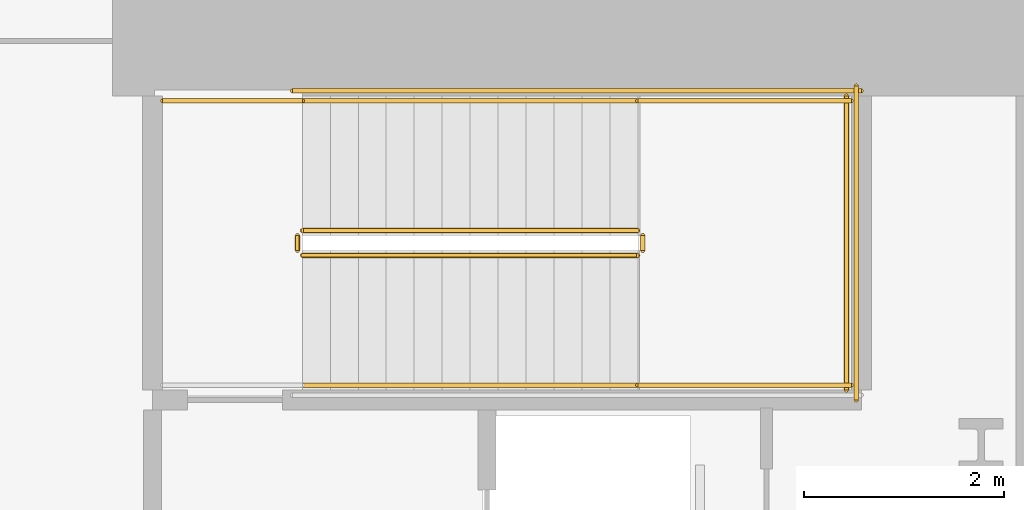
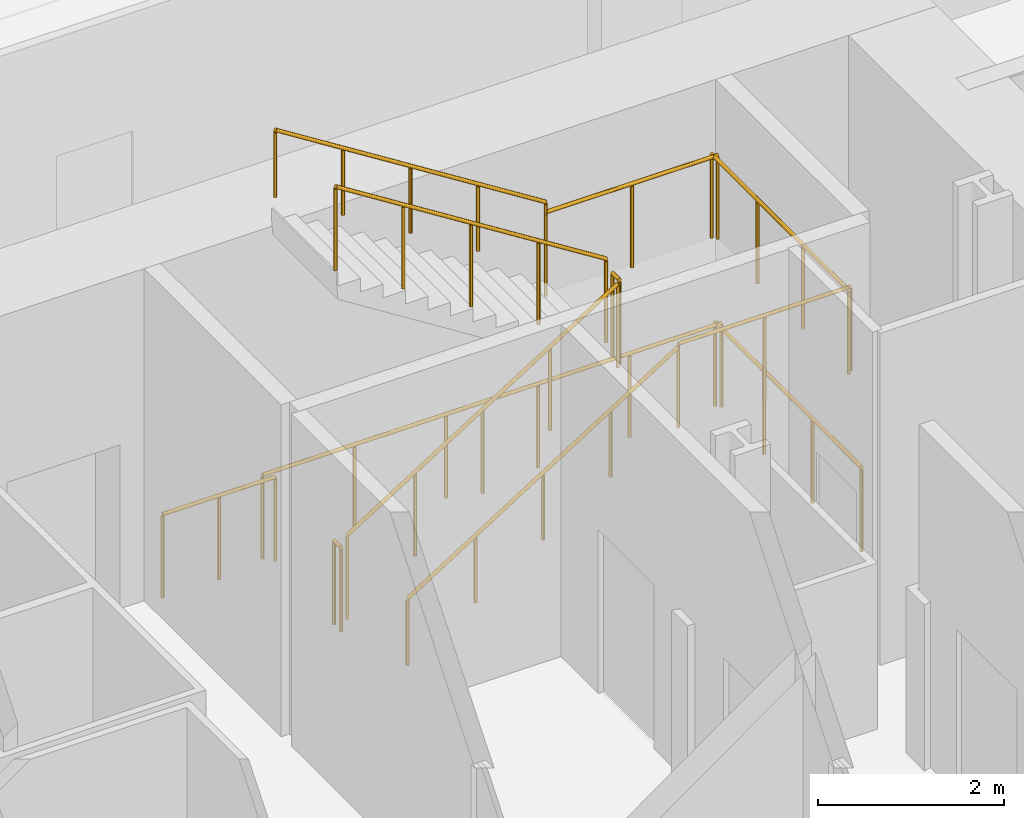
# One storey, part 15 of 18: 12 railings.
"""IFC4 building model written with IfcOpenShell, lengths in metres."""

import ifcopenshell
import ifcopenshell.guid

model = None  # the IFC model being written
_history = None  # IfcOwnerHistory: only IFC2X3 demands one
_inside = {}  # id of a spatial element -> (the spatial element, [elements in it])
_under = {}  # id of a project, library or spatial element -> (it, [spatial elements below it])
_declared = {}  # id of a project -> (the project, [libraries it declares])
_typed = {}  # id of a type object -> (the type object, [elements of that type])
_made_of = {}  # id of a material, layer set ... -> (it, [elements and type objects made of it])


def new_model(schema):
    """Start an empty IFC model of exactly this schema.

    Asked for "IFC4X3", IfcOpenShell would pick the latest addendum, in which some entities
    have other attributes; the version numbers below select the first issue.
    IFC2X3 requires an IfcOwnerHistory on every rooted entity: one is made here for all.
    """
    global model, _history
    if schema == "IFC4X3":
        model = ifcopenshell.file(schema_version=(4, 3, 0, 0))
    else:
        model = ifcopenshell.file(schema=schema)
    _inside.clear()
    _under.clear()
    _declared.clear()
    _typed.clear()
    _made_of.clear()
    _history = None
    if model.schema == "IFC2X3":
        org = make("IfcOrganization", Name="unknown")
        user = make(
            "IfcPersonAndOrganization",
            ThePerson=make("IfcPerson", FamilyName="unknown"),
            TheOrganization=org,
        )
        app = make(
            "IfcApplication",
            ApplicationDeveloper=org,
            Version="unknown",
            ApplicationFullName="unknown",
            ApplicationIdentifier="unknown",
        )
        _history = make(
            "IfcOwnerHistory",
            OwningUser=user,
            OwningApplication=app,
            ChangeAction="ADDED",
            CreationDate=0,
        )
    return model


def make(cls, **values):
    """One entity of the class cls with the attributes given. An attribute that is None is left unset."""
    return model.create_entity(
        cls, **{name: value for name, value in values.items() if value is not None}
    )


def rooted(cls, **values):
    """An entity with a GlobalId (a new one), such as an element, a storey or a relation."""
    return make(cls, GlobalId=ifcopenshell.guid.new(), OwnerHistory=_history, **values)


def si_unit(unit_type, name, prefix=None):
    """IfcSIUnit, for example si_unit("LENGTHUNIT", "METRE", prefix="MILLI")."""
    return make("IfcSIUnit", UnitType=unit_type, Prefix=prefix, Name=name)


def assignment(units):
    """IfcUnitAssignment: the units of a project."""
    return None if units is None else make("IfcUnitAssignment", Units=units)


def point(xyz):
    """IfcCartesianPoint."""
    return None if xyz is None else make("IfcCartesianPoint", Coordinates=xyz)


def direction(xyz):
    """IfcDirection."""
    return None if xyz is None else make("IfcDirection", DirectionRatios=xyz)


def frame(location, z_axis=None, x_axis=None):
    """IfcAxis2Placement3D, a coordinate frame: its origin and axes. An axis left out is left unset."""
    return make(
        "IfcAxis2Placement3D",
        Location=point(location),
        Axis=direction(z_axis),
        RefDirection=direction(x_axis),
    )


def frame_2d(location, x_axis=None):
    """IfcAxis2Placement2D, a coordinate frame in the plane: its origin and x axis."""
    return make(
        "IfcAxis2Placement2D", Location=point(location), RefDirection=direction(x_axis)
    )


def origin():
    """The frame at (0, 0, 0) with its axes left unset."""
    return frame((0.0, 0.0, 0.0))


def origin_2d():
    """The frame at (0, 0) in the plane with its x axis left unset."""
    return frame_2d((0.0, 0.0))


def place(relative_to, where):
    """IfcLocalPlacement: puts the frame where relative to a parent placement (None: the world)."""
    return make(
        "IfcLocalPlacement", PlacementRelTo=relative_to, RelativePlacement=where
    )


def context(
    kind, dimensions, precision=None, world=None, true_north=None, identifier=None
):
    """IfcGeometricRepresentationContext, for example the 3D "Model" context."""
    return make(
        "IfcGeometricRepresentationContext",
        ContextIdentifier=identifier,
        ContextType=kind,
        CoordinateSpaceDimension=dimensions,
        Precision=precision,
        WorldCoordinateSystem=world,
        TrueNorth=true_north,
    )


def subcontext(parent, identifier, kind, view, scale=None):
    """IfcGeometricRepresentationSubContext, for example "Body" below "Model"."""
    return make(
        "IfcGeometricRepresentationSubContext",
        ContextIdentifier=identifier,
        ContextType=kind,
        ParentContext=parent,
        TargetScale=scale,
        TargetView=view,
    )


def project(units=None, contexts=None):
    """IfcProject with its units and contexts."""
    return rooted(
        "IfcProject",
        Name="project",
        RepresentationContexts=contexts,
        UnitsInContext=assignment(units),
    )


def spatial(cls, under=None, at=None, **own):
    """A site, building, storey or space (cls), placed at a placement, below another one or the project."""
    s = rooted(cls, ObjectPlacement=at, **own)
    if under is not None:
        _under.setdefault(under.id(), (under, []))[1].append(s)
    return s


def profile(cls, at=None, kind="AREA", **sizes):
    """A parametric profile (cls). Its sizes go by their IFC names, for example OverallWidth=200.0."""
    return make(cls, ProfileType=kind, Position=at, **sizes)


def circle(**sizes):
    """IfcCircleProfileDef."""
    return profile("IfcCircleProfileDef", **sizes)


def extrude(swept, where, along, depth):
    """IfcExtrudedAreaSolid: the profile swept, set in the frame where, extruded along a direction by depth."""
    return make(
        "IfcExtrudedAreaSolid",
        SweptArea=swept,
        Position=where,
        ExtrudedDirection=direction(along),
        Depth=depth,
    )


def shape(context_of_items, identifier, shape_type, items):
    """IfcShapeRepresentation: the items that make up one representation, for example the "Body"."""
    return make(
        "IfcShapeRepresentation",
        ContextOfItems=context_of_items,
        RepresentationIdentifier=identifier,
        RepresentationType=shape_type,
        Items=items,
    )


def material(Name=None, Category=None):
    """IfcMaterial."""
    return make("IfcMaterial", Name=Name, Category=Category)


def made_of(thing, what):
    """Note that an element or type object is made of a material, layer set ...; save() writes the relation."""
    if what is not None:
        _made_of.setdefault(what.id(), (what, []))[1].append(thing)
    return thing


def type_object(cls, material=None, **own):
    """A type object (cls), such as IfcWallType, which elements share."""
    return made_of(rooted(cls, **own), material)


def element(
    cls,
    number,
    at=None,
    inside=None,
    cuts=None,
    type_object=None,
    material=None,
    context=None,
    identifier="Body",
    shape_type=None,
    held_by="IfcProductDefinitionShape",
    body=None,
    shapes=None,
    **own,
):
    """One element of the class cls, such as IfcWall. Its Tag is "e" and its number.

    at: its placement. inside: the storey or other place that contains it. cuts: it is an
    opening in that element (IfcRelVoidsElement). A single representation is given by context,
    identifier, shape_type and body (its items); several are given by shapes. held_by: the class
    of the entity that holds the representations. save() writes the other relations.
    """
    e = rooted(cls, Tag="e%d" % number, ObjectPlacement=at, **own)
    if body is not None:
        shapes = [shape(context, identifier, shape_type, body)]
    if shapes is not None:
        e.Representation = make(held_by, Representations=shapes)
    if inside is not None:
        _inside.setdefault(inside.id(), (inside, []))[1].append(e)
    if cuts is not None:
        rooted(
            "IfcRelVoidsElement", RelatingBuildingElement=cuts, RelatedOpeningElement=e
        )
    if type_object is not None:
        _typed.setdefault(type_object.id(), (type_object, []))[1].append(e)
    return made_of(e, material)


def aggregate(whole, parts):
    """IfcRelAggregates: a whole, such as a stair, and the parts it consists of."""
    return rooted("IfcRelAggregates", RelatingObject=whole, RelatedObjects=parts)


def save(model, path):
    """Write the relations noted so far, then the file.

    IfcRelAggregates (storeys below a building ...), IfcRelContainedInSpatialStructure (elements
    in a storey), IfcRelDefinesByType, IfcRelAssociatesMaterial and IfcRelDeclares: one each for
    every whole, place, type object, material and project.
    """
    for whole, parts in _under.values():
        aggregate(whole, parts)
    for where, things in _inside.values():
        rooted(
            "IfcRelContainedInSpatialStructure",
            RelatedElements=things,
            RelatingStructure=where,
        )
    for kind, things in _typed.values():
        rooted("IfcRelDefinesByType", RelatedObjects=things, RelatingType=kind)
    for what, things in _made_of.values():
        rooted("IfcRelAssociatesMaterial", RelatedObjects=things, RelatingMaterial=what)
    for by, libraries in _declared.values():
        rooted("IfcRelDeclares", RelatingContext=by, RelatedDefinitions=libraries)
    model.write(path)


model = new_model("IFC4")

# Units and contexts
model_context = context("Model", 3, precision=1e-05, world=origin(), true_north=direction((0.0, 1.0)))
body_context = subcontext(model_context, "Body", "Model", "MODEL_VIEW")
ifc_project = project(units=[si_unit("LENGTHUNIT", "METRE"), si_unit("AREAUNIT", "SQUARE_METRE"), si_unit("VOLUMEUNIT", "CUBIC_METRE"), si_unit("PLANEANGLEUNIT", "RADIAN"), si_unit("MASSUNIT", "GRAM", prefix="KILO")], contexts=[model_context])

# Site, building, storey
site_placement = place(None, origin())
site = spatial("IfcSite", under=ifc_project, at=site_placement, CompositionType="ELEMENT")
building_placement = place(site_placement, origin())
building = spatial("IfcBuilding", under=site, at=building_placement, Name="Valkerne Bourse Tower", CompositionType="ELEMENT")
storey_placement = place(building_placement, frame((0.0, 0.0, 10.199951171875)))
storey = spatial("IfcBuildingStorey", under=building, at=storey_placement, Name="L02", CompositionType="ELEMENT", Elevation=10.199951171875)

# Railings
ifc_material_1 = material(Name="Galvanised Painted Steel", Category="steel")
railing_type_1 = type_object("IfcRailingType", Name="RLG-ST-GUARD-1120", PredefinedType="GUARDRAIL", material=ifc_material_1)
railing_1_placement = place(storey_placement, frame((48.14990234375, 33.550048828125, 0.177001953125)))
element("IfcRailing", 1, at=railing_1_placement, inside=storey, type_object=railing_type_1, Name="L02 ST-2 stair guard 1", PredefinedType="GUARDRAIL", context=body_context, shape_type="SweptSolid", body=[
    extrude(circle(Radius=0.02392578125, at=origin_2d()), frame((0.0, 0.0, 1.09619140625), z_axis=(0.845389635667, 0.0, 0.534150132366), x_axis=(0.0, 1.0, 0.0)), (0.0, 0.0, 1.0), 3.974609375),
    extrude(circle(Radius=0.02099609375, at=origin_2d()), origin(), (0.0, 0.0, 1.0), 1.072021484375),
    extrude(circle(Radius=0.02099609375, at=origin_2d()), frame((0.840087890625, 0.0, 0.53076171875)), (0.0, 0.0, 1.0), 1.072021484375),
    extrude(circle(Radius=0.02099609375, at=origin_2d()), frame((1.68017578125, 0.0, 1.0615234375)), (0.0, 0.0, 1.0), 1.072021484375),
    extrude(circle(Radius=0.02099609375, at=origin_2d()), frame((2.52001953125, 0.0, 1.59228515625)), (0.0, 0.0, 1.0), 1.072021484375),
    extrude(circle(Radius=0.02099609375, at=origin_2d()), frame((3.360107421875, 0.0, 2.123046875)), (0.0, 0.0, 1.0), 1.072021484375),
])
railing_2_placement = place(storey_placement, frame((51.56005859375, 33.60009765625, 2.300048828125)))
element("IfcRailing", 2, at=railing_2_placement, inside=storey, type_object=railing_type_1, Name="L02 ST-2 stair guard 2", PredefinedType="GUARDRAIL", context=body_context, shape_type="SweptSolid", body=[
    extrude(circle(Radius=0.02392578125, at=origin_2d()), frame((0.0, 0.0, 1.09619140625), z_axis=(0.0, 1.0, 0.0), x_axis=(-1.0, 0.0, 0.0)), (0.0, 0.0, 1.0), 0.14990234375),
    extrude(circle(Radius=0.02099609375, at=origin_2d()), origin(), (0.0, 0.0, 1.0), 1.072021484375),
    extrude(circle(Radius=0.02099609375, at=origin_2d()), frame((0.0, 0.14990234375, 0.0)), (0.0, 0.0, 1.0), 1.072021484375),
])
for number, where, name in (
    (3, (51.510009765625, 32.25, 2.300048828125), "L02 ST-2 stair guard 3"),
    (4, (51.510009765625, 35.10009765625, 2.300048828125), "L02 ST-2 stair guard 4"),
):
    element("IfcRailing", number, at=place(storey_placement, frame(where)), inside=storey, type_object=railing_type_1, Name=name, PredefinedType="GUARDRAIL", context=body_context, shape_type="SweptSolid", body=[
        extrude(circle(Radius=0.02392578125, at=origin_2d()), frame((0.0, 0.0, 1.09619140625), z_axis=(1.0, 0.0, 0.0), x_axis=(0.0, 1.0, 0.0)), (0.0, 0.0, 1.0), 2.139892578125),
        extrude(circle(Radius=0.02099609375, at=origin_2d()), origin(), (0.0, 0.0, 1.0), 1.072021484375),
        extrude(circle(Radius=0.02099609375, at=origin_2d()), frame((1.06982421875, 0.0, 0.0)), (0.0, 0.0, 1.0), 1.072021484375),
        extrude(circle(Radius=0.02099609375, at=origin_2d()), frame((2.139892578125, 0.0, 0.0)), (0.0, 0.0, 1.0), 1.072021484375),
    ])
railing_3_placement = place(storey_placement, frame((53.60009765625, 32.199951171875, 2.300048828125)))
element("IfcRailing", 5, at=railing_3_placement, inside=storey, type_object=railing_type_1, Name="L02 ST-2 stair guard 5", PredefinedType="GUARDRAIL", context=body_context, shape_type="SweptSolid", body=[
    extrude(circle(Radius=0.02392578125, at=origin_2d()), frame((0.0, 0.0, 1.09619140625), z_axis=(0.0, 1.0, 0.0), x_axis=(-1.0, 0.0, 0.0)), (0.0, 0.0, 1.0), 2.949951171875),
    extrude(circle(Radius=0.02099609375, at=origin_2d()), origin(), (0.0, 0.0, 1.0), 1.072021484375),
    extrude(circle(Radius=0.02099609375, at=origin_2d()), frame((0.0, 0.9833984375, 0.0)), (0.0, 0.0, 1.0), 1.072021484375),
    extrude(circle(Radius=0.02099609375, at=origin_2d()), frame((0.0, 1.966552734375, 0.0)), (0.0, 0.0, 1.0), 1.072021484375),
    extrude(circle(Radius=0.02099609375, at=origin_2d()), frame((0.0, 2.949951171875, 0.0)), (0.0, 0.0, 1.0), 1.072021484375),
])
railing_4_placement = place(storey_placement, frame((51.510009765625, 33.800048828125, 2.47705078125)))
element("IfcRailing", 6, at=railing_4_placement, inside=storey, type_object=railing_type_1, Name="L02 ST-2 stair guard 6", PredefinedType="GUARDRAIL", context=body_context, shape_type="SweptSolid", body=[
    extrude(circle(Radius=0.02392578125, at=origin_2d()), frame((0.0, 0.0, 1.09619140625), z_axis=(-0.845389635667, 0.0, 0.534150132366), x_axis=(0.0, -1.0, 0.0)), (0.0, 0.0, 1.0), 3.974609375),
    extrude(circle(Radius=0.02099609375, at=origin_2d()), origin(), (0.0, 0.0, 1.0), 1.072021484375),
    extrude(circle(Radius=0.02099609375, at=origin_2d()), frame((-0.840087890625, 0.0, 0.53076171875)), (0.0, 0.0, 1.0), 1.072021484375),
    extrude(circle(Radius=0.02099609375, at=origin_2d()), frame((-1.68017578125, 0.0, 1.0615234375)), (0.0, 0.0, 1.0), 1.072021484375),
    extrude(circle(Radius=0.02099609375, at=origin_2d()), frame((-2.52001953125, 0.0, 1.59228515625)), (0.0, 0.0, 1.0), 1.072021484375),
    extrude(circle(Radius=0.02099609375, at=origin_2d()), frame((-3.360107421875, 0.0, 2.123046875)), (0.0, 0.0, 1.0), 1.072021484375),
])
railing_5_placement = place(storey_placement, frame((48.10009765625, 33.60009765625, 0.0)))
element("IfcRailing", 7, at=railing_5_placement, inside=storey, type_object=railing_type_1, Name="L02 ST-2 stair guard 7", PredefinedType="GUARDRAIL", context=body_context, shape_type="SweptSolid", body=[
    extrude(circle(Radius=0.02392578125, at=origin_2d()), frame((0.0, 0.0, 1.09619140625), z_axis=(0.0, 1.0, 0.0), x_axis=(-1.0, 0.0, 0.0)), (0.0, 0.0, 1.0), 0.14990234375),
    extrude(circle(Radius=0.02099609375, at=origin_2d()), origin(), (0.0, 0.0, 1.0), 1.072021484375),
    extrude(circle(Radius=0.02099609375, at=origin_2d()), frame((0.0, 0.14990234375, 0.0)), (0.0, 0.0, 1.0), 1.072021484375),
])
railing_6_placement = place(storey_placement, frame((46.75, 35.10009765625, 0.0)))
element("IfcRailing", 8, at=railing_6_placement, inside=storey, type_object=railing_type_1, Name="L02 ST-2 stair guard 9", PredefinedType="GUARDRAIL", context=body_context, shape_type="SweptSolid", body=[
    extrude(circle(Radius=0.02392578125, at=origin_2d()), frame((0.0, 0.0, 1.09619140625), z_axis=(1.0, 0.0, 0.0), x_axis=(0.0, 1.0, 0.0)), (0.0, 0.0, 1.0), 1.39990234375),
    extrude(circle(Radius=0.02099609375, at=origin_2d()), origin(), (0.0, 0.0, 1.0), 1.072021484375),
    extrude(circle(Radius=0.02099609375, at=origin_2d()), frame((0.699951171875, 0.0, 0.0)), (0.0, 0.0, 1.0), 1.072021484375),
    extrude(circle(Radius=0.02099609375, at=origin_2d()), frame((1.39990234375, 0.0, 0.0)), (0.0, 0.0, 1.0), 1.072021484375),
])
railing_7_placement = place(storey_placement, frame((48.050048828125, 35.199951171875, 0.0)))
element("IfcRailing", 9, at=railing_7_placement, inside=storey, type_object=railing_type_1, Name="L02 ST-2 stair guard 11", PredefinedType="GUARDRAIL", context=body_context, shape_type="SweptSolid", body=[
    extrude(circle(Radius=0.02392578125, at=origin_2d()), frame((0.0, 0.0, 1.09619140625), z_axis=(1.0, 0.0, 0.0), x_axis=(0.0, 1.0, 0.0)), (0.0, 0.0, 1.0), 5.699951171875),
    extrude(circle(Radius=0.02099609375, at=origin_2d()), origin(), (0.0, 0.0, 1.0), 1.072021484375),
    extrude(circle(Radius=0.02099609375, at=origin_2d()), frame((1.139892578125, 0.0, 0.0)), (0.0, 0.0, 1.0), 1.072021484375),
    extrude(circle(Radius=0.02099609375, at=origin_2d()), frame((2.280029296875, 0.0, 0.0)), (0.0, 0.0, 1.0), 1.072021484375),
    extrude(circle(Radius=0.02099609375, at=origin_2d()), frame((3.419921875, 0.0, 0.0)), (0.0, 0.0, 1.0), 1.072021484375),
    extrude(circle(Radius=0.02099609375, at=origin_2d()), frame((4.56005859375, 0.0, 0.0)), (0.0, 0.0, 1.0), 1.072021484375),
    extrude(circle(Radius=0.02099609375, at=origin_2d()), frame((5.699951171875, 0.0, 0.0)), (0.0, 0.0, 1.0), 1.072021484375),
])
railing_8_placement = place(storey_placement, frame((53.699951171875, 32.10009765625, 0.0)))
element("IfcRailing", 10, at=railing_8_placement, inside=storey, type_object=railing_type_1, Name="L02 ST-2 stair guard 12", PredefinedType="GUARDRAIL", context=body_context, shape_type="SweptSolid", body=[
    extrude(circle(Radius=0.02392578125, at=origin_2d()), frame((0.0, 0.0, 1.09619140625), z_axis=(0.0, 1.0, 0.0), x_axis=(-1.0, 0.0, 0.0)), (0.0, 0.0, 1.0), 3.14990234375),
    extrude(circle(Radius=0.02099609375, at=origin_2d()), origin(), (0.0, 0.0, 1.0), 1.072021484375),
    extrude(circle(Radius=0.02099609375, at=origin_2d()), frame((0.0, 1.050048828125, 0.0)), (0.0, 0.0, 1.0), 1.072021484375),
    extrude(circle(Radius=0.02099609375, at=origin_2d()), frame((0.0, 2.099853515625, 0.0)), (0.0, 0.0, 1.0), 1.072021484375),
    extrude(circle(Radius=0.02099609375, at=origin_2d()), frame((0.0, 3.14990234375, 0.0)), (0.0, 0.0, 1.0), 1.072021484375),
])
ifc_material_2 = material(Name="Stainless Steel AISI 316", Category="steel")
railing_type_2 = type_object("IfcRailingType", Name="RLG-ST-HANDRAIL-900", PredefinedType="HANDRAIL", material=ifc_material_2)
railing_9_placement = place(storey_placement, frame((48.14990234375, 32.25, 0.35400390625)))
element("IfcRailing", 11, at=railing_9_placement, inside=storey, type_object=railing_type_2, Name="L02 ST-2 stair handrail 1", PredefinedType="HANDRAIL", context=body_context, shape_type="SweptSolid", body=[
    extrude(circle(Radius=0.02392578125, at=origin_2d()), frame((0.0, 0.0, 0.8759765625), z_axis=(0.845389635667, 0.0, 0.534150132366), x_axis=(0.0, 1.0, 0.0)), (0.0, 0.0, 1.0), 3.974609375),
    extrude(circle(Radius=0.02099609375, at=origin_2d()), origin(), (0.0, 0.0, 1.0), 0.851806640625),
    extrude(circle(Radius=0.02099609375, at=origin_2d()), frame((0.840087890625, 0.0, 0.53076171875)), (0.0, 0.0, 1.0), 0.851806640625),
    extrude(circle(Radius=0.02099609375, at=origin_2d()), frame((1.68017578125, 0.0, 1.0615234375)), (0.0, 0.0, 1.0), 0.851806640625),
    extrude(circle(Radius=0.02099609375, at=origin_2d()), frame((2.52001953125, 0.0, 1.59228515625)), (0.0, 0.0, 1.0), 0.851806640625),
    extrude(circle(Radius=0.02099609375, at=origin_2d()), frame((3.360107421875, 0.0, 2.123046875)), (0.0, 0.0, 1.0), 0.851806640625),
])
railing_10_placement = place(storey_placement, frame((51.510009765625, 35.10009765625, 2.65380859375)))
element("IfcRailing", 12, at=railing_10_placement, inside=storey, type_object=railing_type_2, Name="L02 ST-2 stair handrail 2", PredefinedType="HANDRAIL", context=body_context, shape_type="SweptSolid", body=[
    extrude(circle(Radius=0.02392578125, at=origin_2d()), frame((0.0, 0.0, 0.8759765625), z_axis=(-0.845389635667, 0.0, 0.534150132366), x_axis=(0.0, -1.0, 0.0)), (0.0, 0.0, 1.0), 3.974609375),
    extrude(circle(Radius=0.02099609375, at=origin_2d()), origin(), (0.0, 0.0, 1.0), 0.851806640625),
    extrude(circle(Radius=0.02099609375, at=origin_2d()), frame((-0.840087890625, 0.0, 0.53076171875)), (0.0, 0.0, 1.0), 0.851806640625),
    extrude(circle(Radius=0.02099609375, at=origin_2d()), frame((-1.68017578125, 0.0, 1.0615234375)), (0.0, 0.0, 1.0), 0.851806640625),
    extrude(circle(Radius=0.02099609375, at=origin_2d()), frame((-2.52001953125, 0.0, 1.59228515625)), (0.0, 0.0, 1.0), 0.851806640625),
    extrude(circle(Radius=0.02099609375, at=origin_2d()), frame((-3.360107421875, 0.0, 2.123046875)), (0.0, 0.0, 1.0), 0.851806640625),
])

save(model, "model.ifc")
